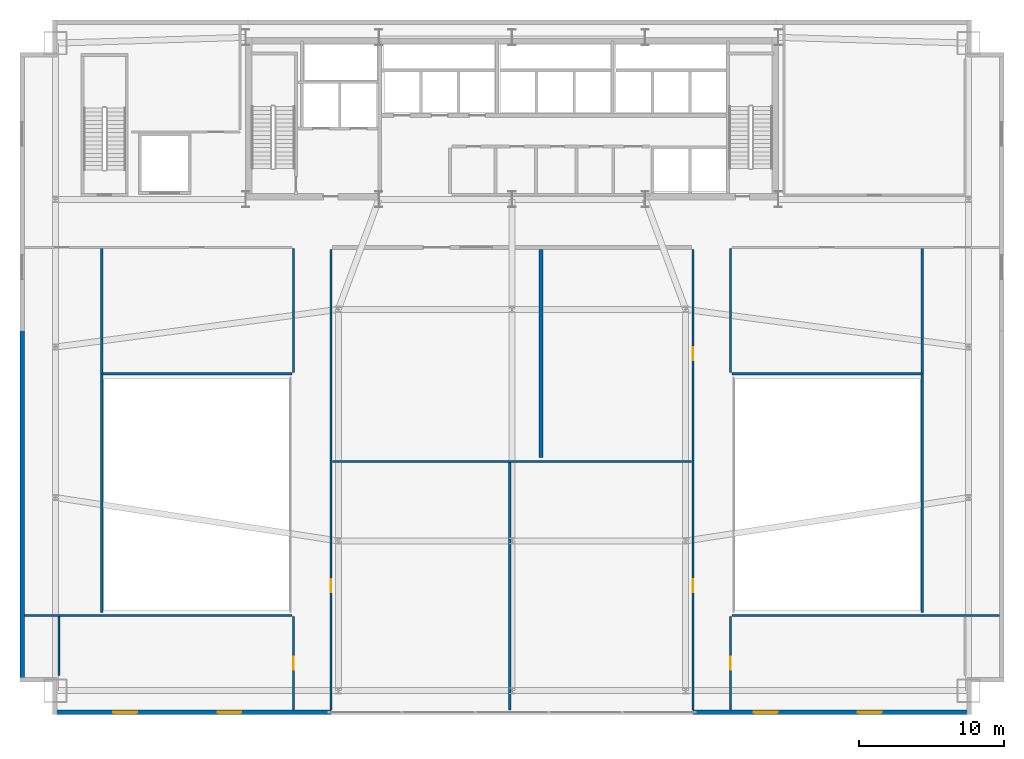
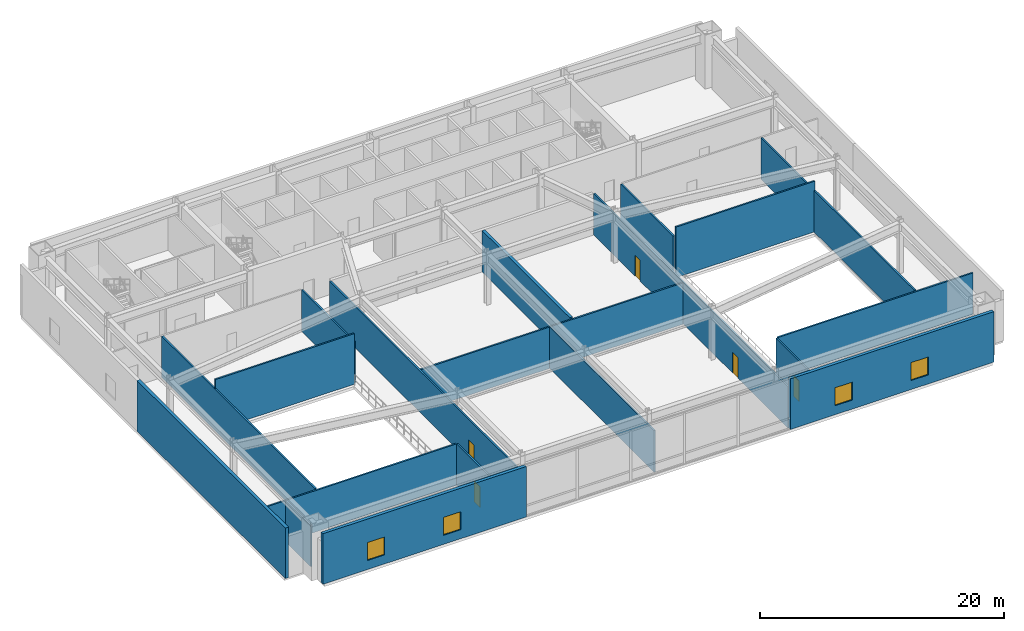
# One storey, part 8 of 13: 19 walls, 5 doors, 4 windows, 9 openings.
"""IFC4 building model written with IfcOpenShell, lengths in metres."""

from ifc_helpers import new_model, si_unit, direction, frame, frame_2d, origin, place, context, subcontext, project, spatial, rectangle, extrude, source, transform, mapped, material, layer, layer_set, type_object, type_shapes, element, fill, save


model = new_model("IFC4")

# Units and contexts
model_context = context("Model", 3, precision=1e-05, world=origin(), true_north=direction((0.0, 1.0)))
body_context = subcontext(model_context, "Body", "Model", "MODEL_VIEW")
ifc_project = project(units=[si_unit("LENGTHUNIT", "METRE"), si_unit("AREAUNIT", "SQUARE_METRE"), si_unit("VOLUMEUNIT", "CUBIC_METRE"), si_unit("PLANEANGLEUNIT", "RADIAN"), si_unit("MASSUNIT", "GRAM", prefix="KILO")], contexts=[model_context])

# Site, building, storey
site_placement = place(None, origin())
site = spatial("IfcSite", under=ifc_project, at=site_placement, CompositionType="ELEMENT")
building_placement = place(site_placement, origin())
building = spatial("IfcBuilding", under=site, at=building_placement, Name="Varnel Quay Broadcast Tower", CompositionType="ELEMENT")
storey_placement = place(building_placement, frame((0.0, 0.0, 16.800048828125)))
storey = spatial("IfcBuildingStorey", under=building, at=storey_placement, Name="L03", CompositionType="ELEMENT", Elevation=16.800048828125)

# Wall, openings, windows
ifc_material_1 = material(Name="Precast Architectural Concrete C40/50", Category="concrete")
ifc_layer_1 = layer(ifc_material_1, 0.300048828125, Name="Precast Architectural Concrete C40/50")
ifc_layer_set_1 = layer_set([ifc_layer_1], Name="Precast Architectural Concrete C40/50")
wall_type_1 = type_object("IfcWallType", Name="Wall_ExtPodium300", PredefinedType="SOLIDWALL", material=ifc_layer_set_1)
wall_1_placement = place(storey_placement, frame((2.25, 0.14990234375, 0.0), z_axis=(0.0, 0.0, 1.0), x_axis=(1.0, 0.0, 0.0)))
wall_1 = element("IfcWall", 1, at=wall_1_placement, inside=storey, type_object=wall_type_1, Name="L03 Podium Acoustic Exterior Wall SW", PredefinedType="SOLIDWALL", context=body_context, shape_type="SweptSolid", body=[
    extrude(rectangle(XDim=19.25, YDim=0.300048828125, at=frame_2d((9.625, 0.0))), origin(), (0.0, 0.0, 1.0), 5.06005859375),
])
opening_1_placement = place(wall_1_placement, frame((4.199951171875, 0.0, 0.89990234375)))
opening_1 = element("IfcOpeningElement", 2, at=opening_1_placement, cuts=wall_1, Name="Opening W-05", PredefinedType="OPENING", context=body_context, shape_type="SweptSolid", body=[
    extrude(rectangle(XDim=1.64990234375, YDim=1.800048828125, at=frame_2d((0.824951171875, 0.89990234375))), frame((0.0, 0.16015625, 0.0), z_axis=(0.0, -1.0, 0.0), x_axis=(1.0, 0.0, 0.0)), (0.0, 0.0, 1.0), 0.320068359375),
])
opening_2_placement = place(wall_1_placement, frame((11.39990234375, 0.0, 0.89990234375)))
opening_2 = element("IfcOpeningElement", 3, at=opening_2_placement, cuts=wall_1, Name="Opening W-05", PredefinedType="OPENING", context=body_context, shape_type="SweptSolid", body=[
    extrude(rectangle(XDim=1.64990234375, YDim=1.800048828125, at=frame_2d((0.824951171875, 0.89990234375))), frame((0.0, 0.16015625, 0.0), z_axis=(0.0, -1.0, 0.0), x_axis=(1.0, 0.0, 0.0)), (0.0, 0.0, 1.0), 0.320068359375),
])
ifc_material_2 = material(Name="Triple-Glazed Bronze Low-E Architectural Glass", Category="glass")
window_type = type_object("IfcWindowType", Name="Win_PodiumStudio1650", PartitioningType="SINGLE_PANEL", PredefinedType="WINDOW", material=ifc_material_2)
shared_shape_1 = source(origin(), body_context, "Body", "SweptSolid", [
    extrude(rectangle(XDim=1.64990234375, YDim=1.800048828125, at=frame_2d((0.824951171875, 0.89990234375))), frame((0.0, 0.030029296875, 0.0), z_axis=(0.0, -1.0, 0.0), x_axis=(1.0, 0.0, 0.0)), (0.0, 0.0, 1.0), 0.06005859375),
])
type_shapes(window_type, [shared_shape_1])
window_1_placement = place(opening_1_placement, origin())
window_1 = element("IfcWindow", 4, at=window_1_placement, inside=storey, type_object=window_type, Name="L03 Podium Window SW-1", OverallHeight=1.800048828125, OverallWidth=1.64990234375, PartitioningType="SINGLE_PANEL", PredefinedType="WINDOW", context=body_context, shape_type="MappedRepresentation", body=[
    mapped(shared_shape_1, transform((0.0, 0.0, 0.0), x_axis=(1.0, 0.0, 0.0), y_axis=(0.0, 1.0, 0.0), z_axis=(0.0, 0.0, 1.0), scale=1.0)),
])
fill(opening_1, window_1)
window_2_placement = place(opening_2_placement, origin())
window_2 = element("IfcWindow", 5, at=window_2_placement, inside=storey, type_object=window_type, Name="L03 Podium Window SW-2", OverallHeight=1.800048828125, OverallWidth=1.64990234375, PartitioningType="SINGLE_PANEL", PredefinedType="WINDOW", context=body_context, shape_type="MappedRepresentation", body=[
    mapped(shared_shape_1, transform((0.0, 0.0, 0.0), x_axis=(1.0, 0.0, 0.0), y_axis=(0.0, 1.0, 0.0), z_axis=(0.0, 0.0, 1.0), scale=1.0)),
])
fill(opening_2, window_2)

wall_2_placement = place(storey_placement, frame((46.5, 0.14990234375, 0.0), z_axis=(0.0, 0.0, 1.0), x_axis=(1.0, 0.0, 0.0)))
wall_2 = element("IfcWall", 6, at=wall_2_placement, inside=storey, type_object=wall_type_1, Name="L03 Podium Acoustic Exterior Wall SE", PredefinedType="SOLIDWALL", context=body_context, shape_type="SweptSolid", body=[
    extrude(rectangle(XDim=19.25, YDim=0.300048828125, at=frame_2d((9.625, 0.0))), origin(), (0.0, 0.0, 1.0), 5.06005859375),
])
opening_3_placement = place(wall_2_placement, frame((4.199951171875, 0.0, 0.89990234375)))
opening_3 = element("IfcOpeningElement", 7, at=opening_3_placement, cuts=wall_2, Name="Opening W-05", PredefinedType="OPENING", context=body_context, shape_type="SweptSolid", body=[
    extrude(rectangle(XDim=1.64990234375, YDim=1.800048828125, at=frame_2d((0.824951171875, 0.89990234375))), frame((0.0, 0.16015625, 0.0), z_axis=(0.0, -1.0, 0.0), x_axis=(1.0, 0.0, 0.0)), (0.0, 0.0, 1.0), 0.320068359375),
])
opening_4_placement = place(wall_2_placement, frame((11.39990234375, 0.0, 0.89990234375)))
opening_4 = element("IfcOpeningElement", 8, at=opening_4_placement, cuts=wall_2, Name="Opening W-05", PredefinedType="OPENING", context=body_context, shape_type="SweptSolid", body=[
    extrude(rectangle(XDim=1.64990234375, YDim=1.800048828125, at=frame_2d((0.824951171875, 0.89990234375))), frame((0.0, 0.16015625, 0.0), z_axis=(0.0, -1.0, 0.0), x_axis=(1.0, 0.0, 0.0)), (0.0, 0.0, 1.0), 0.320068359375),
])
window_3_placement = place(opening_3_placement, origin())
window_3 = element("IfcWindow", 9, at=window_3_placement, inside=storey, type_object=window_type, Name="L03 Podium Window SE-1", OverallHeight=1.800048828125, OverallWidth=1.64990234375, PartitioningType="SINGLE_PANEL", PredefinedType="WINDOW", context=body_context, shape_type="MappedRepresentation", body=[
    mapped(shared_shape_1, transform((0.0, 0.0, 0.0), x_axis=(1.0, 0.0, 0.0), y_axis=(0.0, 1.0, 0.0), z_axis=(0.0, 0.0, 1.0), scale=1.0)),
])
fill(opening_3, window_3)
window_4_placement = place(opening_4_placement, origin())
window_4 = element("IfcWindow", 10, at=window_4_placement, inside=storey, type_object=window_type, Name="L03 Podium Window SE-2", OverallHeight=1.800048828125, OverallWidth=1.64990234375, PartitioningType="SINGLE_PANEL", PredefinedType="WINDOW", context=body_context, shape_type="MappedRepresentation", body=[
    mapped(shared_shape_1, transform((0.0, 0.0, 0.0), x_axis=(1.0, 0.0, 0.0), y_axis=(0.0, 1.0, 0.0), z_axis=(0.0, 0.0, 1.0), scale=1.0)),
])
fill(opening_4, window_4)

# Walls
wall_3_placement = place(storey_placement, frame((0.14990234375, 2.25, 0.0), z_axis=(0.0, 0.0, 1.0), x_axis=(0.0, 1.0, 0.0)))
element("IfcWall", 11, at=wall_3_placement, inside=storey, type_object=wall_type_1, Name="L03 Podium Acoustic Exterior Wall W1", PredefinedType="SOLIDWALL", context=body_context, shape_type="SweptSolid", body=[
    extrude(rectangle(XDim=24.35009765625, YDim=0.300048828125, at=frame_2d((12.175048828125, 0.0))), origin(), (0.0, 0.0, 1.0), 5.06005859375),
])
ifc_material_3 = material(Name="Steel-Stud Fire-Rated Acoustic Gypsum Partition Assembly", Category="steel")
ifc_layer_2 = layer(ifc_material_3, 0.14990234375, Name="Steel-Stud Fire-Rated Acoustic Gypsum Partition Assembly")
ifc_layer_set_2 = layer_set([ifc_layer_2], Name="Steel-Stud Fire-Rated Acoustic Gypsum Partition Assembly")
wall_type_2 = type_object("IfcWallType", Name="Wall_Partition150", PredefinedType="PARTITIONING", material=ifc_layer_set_2)
wall_4_placement = place(storey_placement, frame((33.85009765625, 0.31005859375, 0.0), z_axis=(0.0, 0.0, 1.0), x_axis=(0.0, 1.0, 0.0)))
element("IfcWall", 12, at=wall_4_placement, inside=storey, type_object=wall_type_2, Name="L03 Network Playout & Automation Office Partition 8", PredefinedType="PARTITIONING", context=body_context, shape_type="SweptSolid", body=[
    extrude(rectangle(XDim=17.114990234375, YDim=0.14990234375, at=frame_2d((8.5576171875, 0.0))), origin(), (0.0, 0.0, 1.0), 4.14306640625),
])
wall_5_placement = place(storey_placement, frame((21.60009765625, 17.5, 0.0), z_axis=(0.0, 0.0, 1.0), x_axis=(1.0, 0.0, 0.0)))
element("IfcWall", 13, at=wall_5_placement, inside=storey, type_object=wall_type_2, Name="L03 Network Playout & Automation Office Partition 9", PredefinedType="PARTITIONING", context=body_context, shape_type="SweptSolid", body=[
    extrude(rectangle(XDim=24.7998046875, YDim=0.14990234375, at=frame_2d((12.39990234375, 0.0))), origin(), (0.0, 0.0, 1.0), 4.14306640625),
])

# Wall, opening, door
wall_6_placement = place(storey_placement, frame((21.5, 0.31005859375, 0.0), z_axis=(0.0, 0.0, 1.0), x_axis=(0.0, 1.0, 0.0)))
wall_6 = element("IfcWall", 14, at=wall_6_placement, inside=storey, type_object=wall_type_2, Name="L03 Network Playout & Automation Office Partition 10", PredefinedType="PARTITIONING", context=body_context, shape_type="SweptSolid", body=[
    extrude(rectangle(XDim=31.824951171875, YDim=0.14990234375, at=frame_2d((15.91259765625, 0.0))), origin(), (0.0, 0.0, 1.0), 4.14306640625),
])
opening_5_placement = place(wall_6_placement, frame((8.135009765625, 0.0, 0.0)))
opening_5 = element("IfcOpeningElement", 15, at=opening_5_placement, cuts=wall_6, Name="Opening D-L03-06", PredefinedType="OPENING", context=body_context, shape_type="SweptSolid", body=[
    extrude(rectangle(XDim=0.919921875, YDim=2.080078125, at=frame_2d((0.4599609375, 1.0400390625))), frame((0.0, 0.0849609375, 0.0), z_axis=(0.0, -1.0, 0.0), x_axis=(1.0, 0.0, 0.0)), (0.0, 0.0, 1.0), 0.169921875),
])
ifc_material_4 = material(Name="Solid-Core Fire-Rated Acoustic Oak Veneer Door", Category="wood")
door_type_1 = type_object("IfcDoorType", Name="Door_Office920", OperationType="NOTDEFINED", PredefinedType="DOOR", material=ifc_material_4)
shared_shape_2 = source(origin(), body_context, "Body", "SweptSolid", [
    extrude(rectangle(XDim=0.919921875, YDim=2.080078125, at=frame_2d((0.4599609375, 1.0400390625))), frame((0.0, 0.02490234375, 0.0), z_axis=(0.0, -1.0, 0.0), x_axis=(1.0, 0.0, 0.0)), (0.0, 0.0, 1.0), 0.050048828125),
])
type_shapes(door_type_1, [shared_shape_2])
door_1_placement = place(opening_5_placement, frame((0.919921875, 0.0, 0.0), z_axis=(0.0, 0.0, 1.0), x_axis=(-1.0, 0.0, 0.0)))
door_1 = element("IfcDoor", 16, at=door_1_placement, inside=storey, type_object=door_type_1, Name="L03 Network Playout & Automation Office Door D-L03-06", OperationType="SINGLE_SWING_LEFT", OverallHeight=2.080078125, OverallWidth=0.919921875, PredefinedType="DOOR", context=body_context, shape_type="MappedRepresentation", body=[
    mapped(shared_shape_2, transform((0.0, 0.0, 0.0), x_axis=(1.0, 0.0, 0.0), y_axis=(0.0, 1.0, 0.0), z_axis=(0.0, 0.0, 1.0), scale=1.0)),
])
fill(opening_5, door_1)

# Wall, openings, doors
wall_7_placement = place(storey_placement, frame((46.5, 0.31005859375, 0.0), z_axis=(0.0, 0.0, 1.0), x_axis=(0.0, 1.0, 0.0)))
wall_7 = element("IfcWall", 17, at=wall_7_placement, inside=storey, type_object=wall_type_2, Name="L03 Broadcast Motion Graphics Office Partition 11", PredefinedType="PARTITIONING", context=body_context, shape_type="SweptSolid", body=[
    extrude(rectangle(XDim=31.824951171875, YDim=0.14990234375, at=frame_2d((15.91259765625, 0.0))), origin(), (0.0, 0.0, 1.0), 4.14306640625),
])
opening_6_placement = place(wall_7_placement, frame((8.135009765625, 0.0, 0.0)))
opening_6 = element("IfcOpeningElement", 18, at=opening_6_placement, cuts=wall_7, Name="Opening D-L03-07", PredefinedType="OPENING", context=body_context, shape_type="SweptSolid", body=[
    extrude(rectangle(XDim=0.919921875, YDim=2.080078125, at=frame_2d((0.4599609375, 1.0400390625))), frame((0.0, 0.0849609375, 0.0), z_axis=(0.0, -1.0, 0.0), x_axis=(1.0, 0.0, 0.0)), (0.0, 0.0, 1.0), 0.169921875),
])
opening_7_placement = place(wall_7_placement, frame((24.19189453125, 0.0, 0.0)))
opening_7 = element("IfcOpeningElement", 19, at=opening_7_placement, cuts=wall_7, Name="Opening D-L03-09", PredefinedType="OPENING", context=body_context, shape_type="SweptSolid", body=[
    extrude(rectangle(XDim=0.8798828125, YDim=2.06005859375, at=frame_2d((0.43994140625, 1.030029296875))), frame((0.0, 0.0849609375, 0.0), z_axis=(0.0, -1.0, 0.0), x_axis=(1.0, 0.0, 0.0)), (0.0, 0.0, 1.0), 0.169921875),
])
door_type_2 = type_object("IfcDoorType", Name="Door_Booth880", OperationType="NOTDEFINED", PredefinedType="DOOR", material=ifc_material_4)
shared_shape_3 = source(origin(), body_context, "Body", "SweptSolid", [
    extrude(rectangle(XDim=0.8798828125, YDim=2.06005859375, at=frame_2d((0.43994140625, 1.030029296875))), frame((0.0, 0.02490234375, 0.0), z_axis=(0.0, -1.0, 0.0), x_axis=(1.0, 0.0, 0.0)), (0.0, 0.0, 1.0), 0.050048828125),
])
type_shapes(door_type_2, [shared_shape_3])
door_2_placement = place(opening_7_placement, origin())
door_2 = element("IfcDoor", 20, at=door_2_placement, inside=storey, type_object=door_type_2, Name="L03 Podium Production Dining Kitchen Door D-L03-09", OperationType="SINGLE_SWING_LEFT", OverallHeight=2.06005859375, OverallWidth=0.8798828125, PredefinedType="DOOR", context=body_context, shape_type="MappedRepresentation", body=[
    mapped(shared_shape_3, transform((0.0, 0.0, 0.0), x_axis=(1.0, 0.0, 0.0), y_axis=(0.0, 1.0, 0.0), z_axis=(0.0, 0.0, 1.0), scale=1.0)),
])
fill(opening_7, door_2)
door_3_placement = place(opening_6_placement, origin())
door_3 = element("IfcDoor", 21, at=door_3_placement, inside=storey, type_object=door_type_1, Name="L03 Broadcast Motion Graphics Office Door D-L03-07", OperationType="SINGLE_SWING_RIGHT", OverallHeight=2.080078125, OverallWidth=0.919921875, PredefinedType="DOOR", context=body_context, shape_type="MappedRepresentation", body=[
    mapped(shared_shape_2, transform((0.0, 0.0, 0.0), x_axis=(1.0, 0.0, 0.0), y_axis=(0.0, 1.0, 0.0), z_axis=(0.0, 0.0, 1.0), scale=1.0)),
])
fill(opening_6, door_3)

# Wall, opening, door
wall_8_placement = place(storey_placement, frame((18.89990234375, 0.31005859375, 0.0), z_axis=(0.0, 0.0, 1.0), x_axis=(0.0, 1.0, 0.0)))
wall_8 = element("IfcWall", 22, at=wall_8_placement, inside=storey, type_object=wall_type_2, Name="L03 South-West Acoustic Edit Office Partition 14", PredefinedType="PARTITIONING", context=body_context, shape_type="SweptSolid", body=[
    extrude(rectangle(XDim=6.46484375, YDim=0.14990234375, at=frame_2d((3.232421875, 0.0))), origin(), (0.0, 0.0, 1.0), 4.14306640625),
])
opening_8_placement = place(wall_8_placement, frame((2.77294921875, 0.0, 0.0)))
opening_8 = element("IfcOpeningElement", 23, at=opening_8_placement, cuts=wall_8, Name="Opening D-L03-10", PredefinedType="OPENING", context=body_context, shape_type="SweptSolid", body=[
    extrude(rectangle(XDim=0.919921875, YDim=2.080078125, at=frame_2d((0.4599609375, 1.0400390625))), frame((0.0, 0.0849609375, 0.0), z_axis=(0.0, -1.0, 0.0), x_axis=(1.0, 0.0, 0.0)), (0.0, 0.0, 1.0), 0.169921875),
])
door_4_placement = place(opening_8_placement, origin())
door_4 = element("IfcDoor", 24, at=door_4_placement, inside=storey, type_object=door_type_1, Name="L03 South-West Acoustic Edit Office Door D-L03-10", OperationType="SINGLE_SWING_RIGHT", OverallHeight=2.080078125, OverallWidth=0.919921875, PredefinedType="DOOR", context=body_context, shape_type="MappedRepresentation", body=[
    mapped(shared_shape_2, transform((0.0, 0.0, 0.0), x_axis=(1.0, 0.0, 0.0), y_axis=(0.0, 1.0, 0.0), z_axis=(0.0, 0.0, 1.0), scale=1.0)),
])
fill(opening_8, door_4)

# Walls
wall_9_placement = place(storey_placement, frame((0.31005859375, 6.85009765625, 0.0), z_axis=(0.0, 0.0, 1.0), x_axis=(1.0, 0.0, 0.0)))
element("IfcWall", 25, at=wall_9_placement, inside=storey, type_object=wall_type_2, Name="L03 South-West Acoustic Edit Office Partition 15", PredefinedType="PARTITIONING", context=body_context, shape_type="SweptSolid", body=[
    extrude(rectangle(XDim=18.489990234375, YDim=0.14990234375, at=frame_2d((9.2451171875, 0.0))), origin(), (0.0, 0.0, 1.0), 4.14306640625),
])
wall_10_placement = place(storey_placement, frame((2.699951171875, 2.699951171875, 0.0), z_axis=(0.0, 0.0, 1.0), x_axis=(0.0, 1.0, 0.0)))
element("IfcWall", 26, at=wall_10_placement, inside=storey, type_object=wall_type_2, Name="L03 South-West Acoustic Edit Office Partition 16", PredefinedType="PARTITIONING", context=body_context, shape_type="SweptSolid", body=[
    extrude(rectangle(XDim=4.074951171875, YDim=0.14990234375, at=frame_2d((2.03759765625, 0.0))), origin(), (0.0, 0.0, 1.0), 4.14306640625),
])
wall_11_placement = place(storey_placement, frame((49.199951171875, 6.85009765625, 0.0), z_axis=(0.0, 0.0, 1.0), x_axis=(1.0, 0.0, 0.0)))
element("IfcWall", 27, at=wall_11_placement, inside=storey, type_object=wall_type_2, Name="L03 South-East Acoustic Edit Office Partition 18", PredefinedType="PARTITIONING", context=body_context, shape_type="SweptSolid", body=[
    extrude(rectangle(XDim=18.489990234375, YDim=0.14990234375, at=frame_2d((9.2451171875, 0.0))), origin(), (0.0, 0.0, 1.0), 4.14306640625),
])

# Wall, opening, door
wall_12_placement = place(storey_placement, frame((49.10009765625, 0.31005859375, 0.0), z_axis=(0.0, 0.0, 1.0), x_axis=(0.0, 1.0, 0.0)))
wall_12 = element("IfcWall", 28, at=wall_12_placement, inside=storey, type_object=wall_type_2, Name="L03 South-East Acoustic Edit Office Partition 19", PredefinedType="PARTITIONING", context=body_context, shape_type="SweptSolid", body=[
    extrude(rectangle(XDim=6.46484375, YDim=0.14990234375, at=frame_2d((3.232421875, 0.0))), origin(), (0.0, 0.0, 1.0), 4.14306640625),
])
opening_9_placement = place(wall_12_placement, frame((2.77294921875, 0.0, 0.0)))
opening_9 = element("IfcOpeningElement", 29, at=opening_9_placement, cuts=wall_12, Name="Opening D-L03-11", PredefinedType="OPENING", context=body_context, shape_type="SweptSolid", body=[
    extrude(rectangle(XDim=0.919921875, YDim=2.080078125, at=frame_2d((0.4599609375, 1.0400390625))), frame((0.0, 0.0849609375, 0.0), z_axis=(0.0, -1.0, 0.0), x_axis=(1.0, 0.0, 0.0)), (0.0, 0.0, 1.0), 0.169921875),
])
door_5_placement = place(opening_9_placement, frame((0.919921875, 0.0, 0.0), z_axis=(0.0, 0.0, 1.0), x_axis=(-1.0, 0.0, 0.0)))
door_5 = element("IfcDoor", 30, at=door_5_placement, inside=storey, type_object=door_type_1, Name="L03 South-East Acoustic Edit Office Door D-L03-11", OperationType="SINGLE_SWING_LEFT", OverallHeight=2.080078125, OverallWidth=0.919921875, PredefinedType="DOOR", context=body_context, shape_type="MappedRepresentation", body=[
    mapped(shared_shape_2, transform((0.0, 0.0, 0.0), x_axis=(1.0, 0.0, 0.0), y_axis=(0.0, 1.0, 0.0), z_axis=(0.0, 0.0, 1.0), scale=1.0)),
])
fill(opening_9, door_5)

# Walls
wall_13_placement = place(storey_placement, frame((5.64990234375, 23.550048828125, 0.0), z_axis=(0.0, 0.0, 1.0), x_axis=(1.0, 0.0, 0.0)))
element("IfcWall", 31, at=wall_13_placement, inside=storey, type_object=wall_type_2, Name="L03 North-West Foley Control Office Partition 20", PredefinedType="PARTITIONING", context=body_context, shape_type="SweptSolid", body=[
    extrude(rectangle(XDim=13.150146484375, YDim=0.14990234375, at=frame_2d((6.5751953125, 0.0))), origin(), (0.0, 0.0, 1.0), 5.06005859375),
])
wall_14_placement = place(storey_placement, frame((18.89990234375, 23.625, 0.0), z_axis=(0.0, 0.0, 1.0), x_axis=(0.0, 1.0, 0.0)))
element("IfcWall", 32, at=wall_14_placement, inside=storey, type_object=wall_type_2, Name="L03 North-West Foley Control Office Partition 21", PredefinedType="PARTITIONING", context=body_context, shape_type="SweptSolid", body=[
    extrude(rectangle(XDim=8.574951171875, YDim=0.14990234375, at=frame_2d((4.28759765625, 0.0))), origin(), (0.0, 0.0, 1.0), 4.14306640625),
])
wall_15_placement = place(storey_placement, frame((5.64990234375, 7.050048828125, 0.0), z_axis=(0.0, 0.0, 1.0), x_axis=(0.0, 1.0, 0.0)))
element("IfcWall", 33, at=wall_15_placement, inside=storey, type_object=wall_type_2, Name="L03 North-West Foley Control Office Partition 23", PredefinedType="PARTITIONING", context=body_context, shape_type="SweptSolid", body=[
    extrude(rectangle(XDim=25.14990234375, YDim=0.14990234375, at=frame_2d((12.574951171875, 0.0))), origin(), (0.0, 0.0, 1.0), 4.14306640625),
])
wall_16_placement = place(storey_placement, frame((49.199951171875, 23.550048828125, 0.0), z_axis=(0.0, 0.0, 1.0), x_axis=(1.0, 0.0, 0.0)))
element("IfcWall", 34, at=wall_16_placement, inside=storey, type_object=wall_type_2, Name="L03 North-East Radio Control Office Partition 24", PredefinedType="PARTITIONING", context=body_context, shape_type="SweptSolid", body=[
    extrude(rectangle(XDim=13.150146484375, YDim=0.14990234375, at=frame_2d((6.5751953125, 0.0))), origin(), (0.0, 0.0, 1.0), 5.06005859375),
])
wall_17_placement = place(storey_placement, frame((62.35009765625, 7.050048828125, 0.0), z_axis=(0.0, 0.0, 1.0), x_axis=(0.0, 1.0, 0.0)))
element("IfcWall", 35, at=wall_17_placement, inside=storey, type_object=wall_type_2, Name="L03 North-East Radio Control Office Partition 25", PredefinedType="PARTITIONING", context=body_context, shape_type="SweptSolid", body=[
    extrude(rectangle(XDim=25.14990234375, YDim=0.14990234375, at=frame_2d((12.574951171875, 0.0))), origin(), (0.0, 0.0, 1.0), 4.14306640625),
])
wall_18_placement = place(storey_placement, frame((49.10009765625, 23.625, 0.0), z_axis=(0.0, 0.0, 1.0), x_axis=(0.0, 1.0, 0.0)))
element("IfcWall", 36, at=wall_18_placement, inside=storey, type_object=wall_type_2, Name="L03 North-East Radio Control Office Partition 27", PredefinedType="PARTITIONING", context=body_context, shape_type="SweptSolid", body=[
    extrude(rectangle(XDim=8.574951171875, YDim=0.14990234375, at=frame_2d((4.28759765625, 0.0))), origin(), (0.0, 0.0, 1.0), 4.14306640625),
])
ifc_material_5 = material(Name="Double-Leaf Isolated Acoustic Studio Wall Concrete C40/50", Category="concrete")
ifc_layer_3 = layer(ifc_material_5, 0.280029296875, Name="Double-Leaf Isolated Acoustic Studio Wall Concrete C40/50")
ifc_layer_set_3 = layer_set([ifc_layer_3], Name="Double-Leaf Isolated Acoustic Studio Wall Concrete C40/50")
wall_type_3 = type_object("IfcWallType", Name="Wall_StudioAcoustic280", PredefinedType="SOLIDWALL", material=ifc_layer_set_3)
wall_19_placement = place(storey_placement, frame((36.0, 17.75, 0.0), z_axis=(0.0, 0.0, 1.0), x_axis=(0.0, 1.0, 0.0)))
element("IfcWall", 37, at=wall_19_placement, inside=storey, type_object=wall_type_3, Name="L03 Radio Drama Recording Studio Partition 12", PredefinedType="SOLIDWALL", context=body_context, shape_type="SweptSolid", body=[
    extrude(rectangle(XDim=14.385009765625, YDim=0.280029296875, at=frame_2d((7.1923828125, 0.0))), origin(), (0.0, 0.0, 1.0), 4.14306640625),
])

save(model, "model.ifc")
